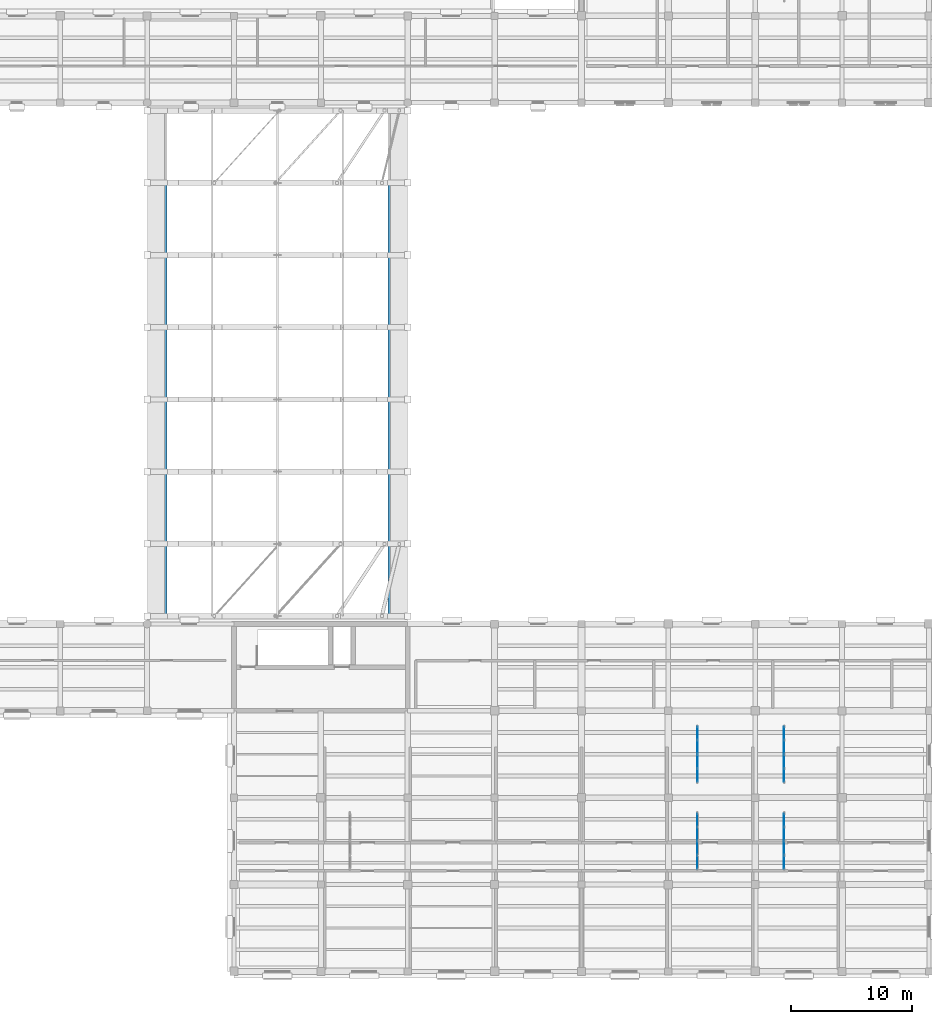
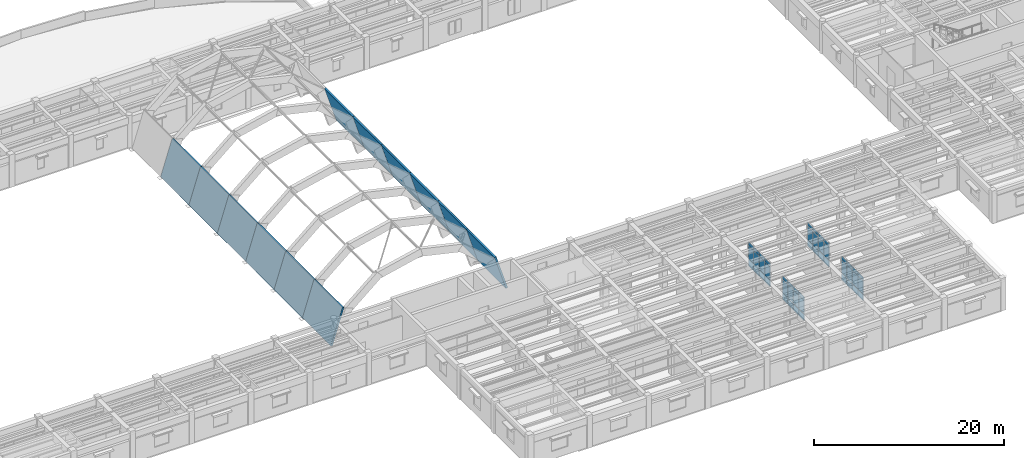
# One storey, part 27 of 66: 48 plates, 12 slabs, 4 elements without a shape of their own.
"""IFC4 building model written with IfcOpenShell, lengths in metres."""

from ifc_helpers import new_model, si_unit, direction, frame, origin, origin_2d, place, context, subcontext, project, spatial, polyline, rectangle, outline, extrude, material, layer, layer_set, type_object, element, aggregate, save


model = new_model("IFC4")

# Units and contexts
model_context = context("Model", 3, precision=1e-05, world=origin(), true_north=direction((0.0, 1.0)))
body_context = subcontext(model_context, "Body", "Model", "MODEL_VIEW")
ifc_project = project(units=[si_unit("LENGTHUNIT", "METRE"), si_unit("AREAUNIT", "SQUARE_METRE"), si_unit("VOLUMEUNIT", "CUBIC_METRE"), si_unit("PLANEANGLEUNIT", "RADIAN"), si_unit("MASSUNIT", "GRAM", prefix="KILO")], contexts=[model_context])

# Site, building, storey
site_placement = place(None, origin())
site = spatial("IfcSite", under=ifc_project, at=site_placement, CompositionType="ELEMENT")
building_placement = place(site_placement, origin())
building = spatial("IfcBuilding", under=site, at=building_placement, Name="Mithqara Police Headquarters", CompositionType="ELEMENT")
storey_placement = place(building_placement, frame((0.0, 0.0, 9.60009765625)))
storey = spatial("IfcBuildingStorey", under=building, at=storey_placement, Name="L02", CompositionType="ELEMENT", Elevation=9.60009765625)

# Curtain wall, plates
ifc_material_1 = material(Name="Bronze anodised aluminium 6063-T6", Category="aluminium")
curtain_wall_type = type_object("IfcCurtainWallType", Name="CURTAIN WALL 4700X3220", PredefinedType="USERDEFINED", material=ifc_material_1)
curtain_wall_1_placement = place(storey_placement, origin())
curtain_wall_1 = element("IfcCurtainWall", 1, at=curtain_wall_1_placement, inside=storey, type_object=curtain_wall_type, Name="L02 Unitised Glazing CW-16 (CW-INT-L02-X16-Y02-0)", ObjectType="UNITISED GLAZING", PredefinedType="USERDEFINED")
ifc_material_2 = material(Name="Spectrally selective double low-e glass", Category="glass")
ifc_layer_1 = layer(ifc_material_2, 0.028076171875, Name="Spectrally selective double low-e glass")
ifc_layer_set_1 = layer_set([ifc_layer_1], Name="Spectrally selective double low-e glass")
plate_type_1 = type_object("IfcPlateType", Name="CWPANEL GLASS28", PredefinedType="CURTAIN_PANEL", material=ifc_layer_set_1)
plate_1_placement = place(storey_placement, frame((118.199951171875, 15.65625, 0.074951171875), z_axis=(0.0, 0.0, 1.0), x_axis=(0.0, 1.0, 0.0)))
plate_1 = element("IfcPlate", 2, at=plate_1_placement, type_object=plate_type_1, Name="CW-16 panel 1.1", PredefinedType="CURTAIN_PANEL", context=body_context, shape_type="SweptSolid", body=[
    extrude(rectangle(XDim=1.0625, YDim=0.028076171875, at=origin_2d()), origin(), (0.0, 0.0, 1.0), 0.78759765625),
])
plate_2_placement = place(storey_placement, frame((118.199951171875, 15.65625, 0.9375), z_axis=(0.0, 0.0, 1.0), x_axis=(0.0, 1.0, 0.0)))
plate_2 = element("IfcPlate", 3, at=plate_2_placement, type_object=plate_type_1, Name="CW-16 panel 1.2", PredefinedType="CURTAIN_PANEL", context=body_context, shape_type="SweptSolid", body=[
    extrude(rectangle(XDim=1.0625, YDim=0.028076171875, at=origin_2d()), origin(), (0.0, 0.0, 1.0), 1.695068359375),
])
plate_3_placement = place(storey_placement, frame((118.199951171875, 15.65625, 2.70751953125), z_axis=(0.0, 0.0, 1.0), x_axis=(0.0, 1.0, 0.0)))
plate_3 = element("IfcPlate", 4, at=plate_3_placement, type_object=plate_type_1, Name="CW-16 panel 1.3", PredefinedType="CURTAIN_PANEL", context=body_context, shape_type="SweptSolid", body=[
    extrude(rectangle(XDim=1.0625, YDim=0.028076171875, at=origin_2d()), origin(), (0.0, 0.0, 1.0), 0.4375),
])
plate_4_placement = place(storey_placement, frame((118.199951171875, 16.8125, 0.074951171875), z_axis=(0.0, 0.0, 1.0), x_axis=(0.0, 1.0, 0.0)))
plate_4 = element("IfcPlate", 5, at=plate_4_placement, type_object=plate_type_1, Name="CW-16 panel 2.1", PredefinedType="CURTAIN_PANEL", context=body_context, shape_type="SweptSolid", body=[
    extrude(rectangle(XDim=1.10009765625, YDim=0.028076171875, at=origin_2d()), origin(), (0.0, 0.0, 1.0), 0.78759765625),
])
plate_5_placement = place(storey_placement, frame((118.199951171875, 16.8125, 0.9375), z_axis=(0.0, 0.0, 1.0), x_axis=(0.0, 1.0, 0.0)))
plate_5 = element("IfcPlate", 6, at=plate_5_placement, type_object=plate_type_1, Name="CW-16 panel 2.2", PredefinedType="CURTAIN_PANEL", context=body_context, shape_type="SweptSolid", body=[
    extrude(rectangle(XDim=1.10009765625, YDim=0.028076171875, at=origin_2d()), origin(), (0.0, 0.0, 1.0), 1.695068359375),
])
plate_6_placement = place(storey_placement, frame((118.199951171875, 16.8125, 2.70751953125), z_axis=(0.0, 0.0, 1.0), x_axis=(0.0, 1.0, 0.0)))
plate_6 = element("IfcPlate", 7, at=plate_6_placement, type_object=plate_type_1, Name="CW-16 panel 2.3", PredefinedType="CURTAIN_PANEL", context=body_context, shape_type="SweptSolid", body=[
    extrude(rectangle(XDim=1.10009765625, YDim=0.028076171875, at=origin_2d()), origin(), (0.0, 0.0, 1.0), 0.4375),
])
plate_7_placement = place(storey_placement, frame((118.199951171875, 17.987548828125, 0.074951171875), z_axis=(0.0, 0.0, 1.0), x_axis=(0.0, 1.0, 0.0)))
plate_7 = element("IfcPlate", 8, at=plate_7_placement, type_object=plate_type_1, Name="CW-16 panel 3.1", PredefinedType="CURTAIN_PANEL", context=body_context, shape_type="SweptSolid", body=[
    extrude(rectangle(XDim=1.10009765625, YDim=0.028076171875, at=origin_2d()), origin(), (0.0, 0.0, 1.0), 0.78759765625),
])
plate_8_placement = place(storey_placement, frame((118.199951171875, 17.987548828125, 0.9375), z_axis=(0.0, 0.0, 1.0), x_axis=(0.0, 1.0, 0.0)))
plate_8 = element("IfcPlate", 9, at=plate_8_placement, type_object=plate_type_1, Name="CW-16 panel 3.2", PredefinedType="CURTAIN_PANEL", context=body_context, shape_type="SweptSolid", body=[
    extrude(rectangle(XDim=1.10009765625, YDim=0.028076171875, at=origin_2d()), origin(), (0.0, 0.0, 1.0), 1.695068359375),
])
plate_9_placement = place(storey_placement, frame((118.199951171875, 17.987548828125, 2.70751953125), z_axis=(0.0, 0.0, 1.0), x_axis=(0.0, 1.0, 0.0)))
plate_9 = element("IfcPlate", 10, at=plate_9_placement, type_object=plate_type_1, Name="CW-16 panel 3.3", PredefinedType="CURTAIN_PANEL", context=body_context, shape_type="SweptSolid", body=[
    extrude(rectangle(XDim=1.10009765625, YDim=0.028076171875, at=origin_2d()), origin(), (0.0, 0.0, 1.0), 0.4375),
])
plate_10_placement = place(storey_placement, frame((118.199951171875, 19.143798828125, 0.074951171875), z_axis=(0.0, 0.0, 1.0), x_axis=(0.0, 1.0, 0.0)))
plate_10 = element("IfcPlate", 11, at=plate_10_placement, type_object=plate_type_1, Name="CW-16 panel 4.1", PredefinedType="CURTAIN_PANEL", context=body_context, shape_type="SweptSolid", body=[
    extrude(rectangle(XDim=1.0625, YDim=0.028076171875, at=origin_2d()), origin(), (0.0, 0.0, 1.0), 0.78759765625),
])
plate_11_placement = place(storey_placement, frame((118.199951171875, 19.143798828125, 0.9375), z_axis=(0.0, 0.0, 1.0), x_axis=(0.0, 1.0, 0.0)))
plate_11 = element("IfcPlate", 12, at=plate_11_placement, type_object=plate_type_1, Name="CW-16 panel 4.2", PredefinedType="CURTAIN_PANEL", context=body_context, shape_type="SweptSolid", body=[
    extrude(rectangle(XDim=1.0625, YDim=0.028076171875, at=origin_2d()), origin(), (0.0, 0.0, 1.0), 1.695068359375),
])
plate_12_placement = place(storey_placement, frame((118.199951171875, 19.143798828125, 2.70751953125), z_axis=(0.0, 0.0, 1.0), x_axis=(0.0, 1.0, 0.0)))
plate_12 = element("IfcPlate", 13, at=plate_12_placement, type_object=plate_type_1, Name="CW-16 panel 4.3", PredefinedType="CURTAIN_PANEL", context=body_context, shape_type="SweptSolid", body=[
    extrude(rectangle(XDim=1.0625, YDim=0.028076171875, at=origin_2d()), origin(), (0.0, 0.0, 1.0), 0.4375),
])
aggregate(curtain_wall_1, [plate_1, plate_2, plate_3, plate_4, plate_5, plate_6, plate_7, plate_8, plate_9, plate_10, plate_11, plate_12])

curtain_wall_2_placement = place(storey_placement, origin())
curtain_wall_2 = element("IfcCurtainWall", 14, at=curtain_wall_2_placement, inside=storey, type_object=curtain_wall_type, Name="L02 Unitised Glazing CW-16 (CW-INT-L02-X17-Y02-0)", ObjectType="UNITISED GLAZING", PredefinedType="USERDEFINED")
plate_13_placement = place(storey_placement, frame((125.39990234375, 15.65625, 0.074951171875), z_axis=(0.0, 0.0, 1.0), x_axis=(0.0, 1.0, 0.0)))
plate_13 = element("IfcPlate", 15, at=plate_13_placement, type_object=plate_type_1, Name="CW-16 panel 1.1", PredefinedType="CURTAIN_PANEL", context=body_context, shape_type="SweptSolid", body=[
    extrude(rectangle(XDim=1.0625, YDim=0.028076171875, at=origin_2d()), origin(), (0.0, 0.0, 1.0), 0.78759765625),
])
plate_14_placement = place(storey_placement, frame((125.39990234375, 15.65625, 0.9375), z_axis=(0.0, 0.0, 1.0), x_axis=(0.0, 1.0, 0.0)))
plate_14 = element("IfcPlate", 16, at=plate_14_placement, type_object=plate_type_1, Name="CW-16 panel 1.2", PredefinedType="CURTAIN_PANEL", context=body_context, shape_type="SweptSolid", body=[
    extrude(rectangle(XDim=1.0625, YDim=0.028076171875, at=origin_2d()), origin(), (0.0, 0.0, 1.0), 1.695068359375),
])
plate_15_placement = place(storey_placement, frame((125.39990234375, 15.65625, 2.70751953125), z_axis=(0.0, 0.0, 1.0), x_axis=(0.0, 1.0, 0.0)))
plate_15 = element("IfcPlate", 17, at=plate_15_placement, type_object=plate_type_1, Name="CW-16 panel 1.3", PredefinedType="CURTAIN_PANEL", context=body_context, shape_type="SweptSolid", body=[
    extrude(rectangle(XDim=1.0625, YDim=0.028076171875, at=origin_2d()), origin(), (0.0, 0.0, 1.0), 0.4375),
])
plate_16_placement = place(storey_placement, frame((125.39990234375, 16.8125, 0.074951171875), z_axis=(0.0, 0.0, 1.0), x_axis=(0.0, 1.0, 0.0)))
plate_16 = element("IfcPlate", 18, at=plate_16_placement, type_object=plate_type_1, Name="CW-16 panel 2.1", PredefinedType="CURTAIN_PANEL", context=body_context, shape_type="SweptSolid", body=[
    extrude(rectangle(XDim=1.10009765625, YDim=0.028076171875, at=origin_2d()), origin(), (0.0, 0.0, 1.0), 0.78759765625),
])
plate_17_placement = place(storey_placement, frame((125.39990234375, 16.8125, 0.9375), z_axis=(0.0, 0.0, 1.0), x_axis=(0.0, 1.0, 0.0)))
plate_17 = element("IfcPlate", 19, at=plate_17_placement, type_object=plate_type_1, Name="CW-16 panel 2.2", PredefinedType="CURTAIN_PANEL", context=body_context, shape_type="SweptSolid", body=[
    extrude(rectangle(XDim=1.10009765625, YDim=0.028076171875, at=origin_2d()), origin(), (0.0, 0.0, 1.0), 1.695068359375),
])
plate_18_placement = place(storey_placement, frame((125.39990234375, 16.8125, 2.70751953125), z_axis=(0.0, 0.0, 1.0), x_axis=(0.0, 1.0, 0.0)))
plate_18 = element("IfcPlate", 20, at=plate_18_placement, type_object=plate_type_1, Name="CW-16 panel 2.3", PredefinedType="CURTAIN_PANEL", context=body_context, shape_type="SweptSolid", body=[
    extrude(rectangle(XDim=1.10009765625, YDim=0.028076171875, at=origin_2d()), origin(), (0.0, 0.0, 1.0), 0.4375),
])
plate_19_placement = place(storey_placement, frame((125.39990234375, 17.987548828125, 0.074951171875), z_axis=(0.0, 0.0, 1.0), x_axis=(0.0, 1.0, 0.0)))
plate_19 = element("IfcPlate", 21, at=plate_19_placement, type_object=plate_type_1, Name="CW-16 panel 3.1", PredefinedType="CURTAIN_PANEL", context=body_context, shape_type="SweptSolid", body=[
    extrude(rectangle(XDim=1.10009765625, YDim=0.028076171875, at=origin_2d()), origin(), (0.0, 0.0, 1.0), 0.78759765625),
])
plate_20_placement = place(storey_placement, frame((125.39990234375, 17.987548828125, 0.9375), z_axis=(0.0, 0.0, 1.0), x_axis=(0.0, 1.0, 0.0)))
plate_20 = element("IfcPlate", 22, at=plate_20_placement, type_object=plate_type_1, Name="CW-16 panel 3.2", PredefinedType="CURTAIN_PANEL", context=body_context, shape_type="SweptSolid", body=[
    extrude(rectangle(XDim=1.10009765625, YDim=0.028076171875, at=origin_2d()), origin(), (0.0, 0.0, 1.0), 1.695068359375),
])
plate_21_placement = place(storey_placement, frame((125.39990234375, 17.987548828125, 2.70751953125), z_axis=(0.0, 0.0, 1.0), x_axis=(0.0, 1.0, 0.0)))
plate_21 = element("IfcPlate", 23, at=plate_21_placement, type_object=plate_type_1, Name="CW-16 panel 3.3", PredefinedType="CURTAIN_PANEL", context=body_context, shape_type="SweptSolid", body=[
    extrude(rectangle(XDim=1.10009765625, YDim=0.028076171875, at=origin_2d()), origin(), (0.0, 0.0, 1.0), 0.4375),
])
plate_22_placement = place(storey_placement, frame((125.39990234375, 19.143798828125, 0.074951171875), z_axis=(0.0, 0.0, 1.0), x_axis=(0.0, 1.0, 0.0)))
plate_22 = element("IfcPlate", 24, at=plate_22_placement, type_object=plate_type_1, Name="CW-16 panel 4.1", PredefinedType="CURTAIN_PANEL", context=body_context, shape_type="SweptSolid", body=[
    extrude(rectangle(XDim=1.0625, YDim=0.028076171875, at=origin_2d()), origin(), (0.0, 0.0, 1.0), 0.78759765625),
])
plate_23_placement = place(storey_placement, frame((125.39990234375, 19.143798828125, 0.9375), z_axis=(0.0, 0.0, 1.0), x_axis=(0.0, 1.0, 0.0)))
plate_23 = element("IfcPlate", 25, at=plate_23_placement, type_object=plate_type_1, Name="CW-16 panel 4.2", PredefinedType="CURTAIN_PANEL", context=body_context, shape_type="SweptSolid", body=[
    extrude(rectangle(XDim=1.0625, YDim=0.028076171875, at=origin_2d()), origin(), (0.0, 0.0, 1.0), 1.695068359375),
])
plate_24_placement = place(storey_placement, frame((125.39990234375, 19.143798828125, 2.70751953125), z_axis=(0.0, 0.0, 1.0), x_axis=(0.0, 1.0, 0.0)))
plate_24 = element("IfcPlate", 26, at=plate_24_placement, type_object=plate_type_1, Name="CW-16 panel 4.3", PredefinedType="CURTAIN_PANEL", context=body_context, shape_type="SweptSolid", body=[
    extrude(rectangle(XDim=1.0625, YDim=0.028076171875, at=origin_2d()), origin(), (0.0, 0.0, 1.0), 0.4375),
])
aggregate(curtain_wall_2, [plate_13, plate_14, plate_15, plate_16, plate_17, plate_18, plate_19, plate_20, plate_21, plate_22, plate_23, plate_24])

curtain_wall_3_placement = place(storey_placement, origin())
curtain_wall_3 = element("IfcCurtainWall", 27, at=curtain_wall_3_placement, inside=storey, type_object=curtain_wall_type, Name="L02 Unitised Glazing CW-16 (CW-INT-L02-X17-Y03-0)", ObjectType="UNITISED GLAZING", PredefinedType="USERDEFINED")
plate_25_placement = place(storey_placement, frame((125.39990234375, 22.856201171875, 0.074951171875), z_axis=(0.0, 0.0, 1.0), x_axis=(0.0, 1.0, 0.0)))
plate_25 = element("IfcPlate", 28, at=plate_25_placement, type_object=plate_type_1, Name="CW-16 panel 1.1", PredefinedType="CURTAIN_PANEL", context=body_context, shape_type="SweptSolid", body=[
    extrude(rectangle(XDim=1.0625, YDim=0.028076171875, at=origin_2d()), origin(), (0.0, 0.0, 1.0), 0.78759765625),
])
plate_26_placement = place(storey_placement, frame((125.39990234375, 22.856201171875, 0.9375), z_axis=(0.0, 0.0, 1.0), x_axis=(0.0, 1.0, 0.0)))
plate_26 = element("IfcPlate", 29, at=plate_26_placement, type_object=plate_type_1, Name="CW-16 panel 1.2", PredefinedType="CURTAIN_PANEL", context=body_context, shape_type="SweptSolid", body=[
    extrude(rectangle(XDim=1.0625, YDim=0.028076171875, at=origin_2d()), origin(), (0.0, 0.0, 1.0), 1.695068359375),
])
plate_27_placement = place(storey_placement, frame((125.39990234375, 22.856201171875, 2.70751953125), z_axis=(0.0, 0.0, 1.0), x_axis=(0.0, 1.0, 0.0)))
plate_27 = element("IfcPlate", 30, at=plate_27_placement, type_object=plate_type_1, Name="CW-16 panel 1.3", PredefinedType="CURTAIN_PANEL", context=body_context, shape_type="SweptSolid", body=[
    extrude(rectangle(XDim=1.0625, YDim=0.028076171875, at=origin_2d()), origin(), (0.0, 0.0, 1.0), 0.4375),
])
plate_28_placement = place(storey_placement, frame((125.39990234375, 24.012451171875, 0.074951171875), z_axis=(0.0, 0.0, 1.0), x_axis=(0.0, 1.0, 0.0)))
plate_28 = element("IfcPlate", 31, at=plate_28_placement, type_object=plate_type_1, Name="CW-16 panel 2.1", PredefinedType="CURTAIN_PANEL", context=body_context, shape_type="SweptSolid", body=[
    extrude(rectangle(XDim=1.10009765625, YDim=0.028076171875, at=origin_2d()), origin(), (0.0, 0.0, 1.0), 0.78759765625),
])
plate_29_placement = place(storey_placement, frame((125.39990234375, 24.012451171875, 0.9375), z_axis=(0.0, 0.0, 1.0), x_axis=(0.0, 1.0, 0.0)))
plate_29 = element("IfcPlate", 32, at=plate_29_placement, type_object=plate_type_1, Name="CW-16 panel 2.2", PredefinedType="CURTAIN_PANEL", context=body_context, shape_type="SweptSolid", body=[
    extrude(rectangle(XDim=1.10009765625, YDim=0.028076171875, at=origin_2d()), origin(), (0.0, 0.0, 1.0), 1.695068359375),
])
plate_30_placement = place(storey_placement, frame((125.39990234375, 24.012451171875, 2.70751953125), z_axis=(0.0, 0.0, 1.0), x_axis=(0.0, 1.0, 0.0)))
plate_30 = element("IfcPlate", 33, at=plate_30_placement, type_object=plate_type_1, Name="CW-16 panel 2.3", PredefinedType="CURTAIN_PANEL", context=body_context, shape_type="SweptSolid", body=[
    extrude(rectangle(XDim=1.10009765625, YDim=0.028076171875, at=origin_2d()), origin(), (0.0, 0.0, 1.0), 0.4375),
])
plate_31_placement = place(storey_placement, frame((125.39990234375, 25.1875, 0.074951171875), z_axis=(0.0, 0.0, 1.0), x_axis=(0.0, 1.0, 0.0)))
plate_31 = element("IfcPlate", 34, at=plate_31_placement, type_object=plate_type_1, Name="CW-16 panel 3.1", PredefinedType="CURTAIN_PANEL", context=body_context, shape_type="SweptSolid", body=[
    extrude(rectangle(XDim=1.10009765625, YDim=0.028076171875, at=origin_2d()), origin(), (0.0, 0.0, 1.0), 0.78759765625),
])
plate_32_placement = place(storey_placement, frame((125.39990234375, 25.1875, 0.9375), z_axis=(0.0, 0.0, 1.0), x_axis=(0.0, 1.0, 0.0)))
plate_32 = element("IfcPlate", 35, at=plate_32_placement, type_object=plate_type_1, Name="CW-16 panel 3.2", PredefinedType="CURTAIN_PANEL", context=body_context, shape_type="SweptSolid", body=[
    extrude(rectangle(XDim=1.10009765625, YDim=0.028076171875, at=origin_2d()), origin(), (0.0, 0.0, 1.0), 1.695068359375),
])
plate_33_placement = place(storey_placement, frame((125.39990234375, 25.1875, 2.70751953125), z_axis=(0.0, 0.0, 1.0), x_axis=(0.0, 1.0, 0.0)))
plate_33 = element("IfcPlate", 36, at=plate_33_placement, type_object=plate_type_1, Name="CW-16 panel 3.3", PredefinedType="CURTAIN_PANEL", context=body_context, shape_type="SweptSolid", body=[
    extrude(rectangle(XDim=1.10009765625, YDim=0.028076171875, at=origin_2d()), origin(), (0.0, 0.0, 1.0), 0.4375),
])
plate_34_placement = place(storey_placement, frame((125.39990234375, 26.34375, 0.074951171875), z_axis=(0.0, 0.0, 1.0), x_axis=(0.0, 1.0, 0.0)))
plate_34 = element("IfcPlate", 37, at=plate_34_placement, type_object=plate_type_1, Name="CW-16 panel 4.1", PredefinedType="CURTAIN_PANEL", context=body_context, shape_type="SweptSolid", body=[
    extrude(rectangle(XDim=1.0625, YDim=0.028076171875, at=origin_2d()), origin(), (0.0, 0.0, 1.0), 0.78759765625),
])
plate_35_placement = place(storey_placement, frame((125.39990234375, 26.34375, 0.9375), z_axis=(0.0, 0.0, 1.0), x_axis=(0.0, 1.0, 0.0)))
plate_35 = element("IfcPlate", 38, at=plate_35_placement, type_object=plate_type_1, Name="CW-16 panel 4.2", PredefinedType="CURTAIN_PANEL", context=body_context, shape_type="SweptSolid", body=[
    extrude(rectangle(XDim=1.0625, YDim=0.028076171875, at=origin_2d()), origin(), (0.0, 0.0, 1.0), 1.695068359375),
])
plate_36_placement = place(storey_placement, frame((125.39990234375, 26.34375, 2.70751953125), z_axis=(0.0, 0.0, 1.0), x_axis=(0.0, 1.0, 0.0)))
plate_36 = element("IfcPlate", 39, at=plate_36_placement, type_object=plate_type_1, Name="CW-16 panel 4.3", PredefinedType="CURTAIN_PANEL", context=body_context, shape_type="SweptSolid", body=[
    extrude(rectangle(XDim=1.0625, YDim=0.028076171875, at=origin_2d()), origin(), (0.0, 0.0, 1.0), 0.4375),
])
aggregate(curtain_wall_3, [plate_25, plate_26, plate_27, plate_28, plate_29, plate_30, plate_31, plate_32, plate_33, plate_34, plate_35, plate_36])

curtain_wall_4_placement = place(storey_placement, origin())
curtain_wall_4 = element("IfcCurtainWall", 40, at=curtain_wall_4_placement, inside=storey, type_object=curtain_wall_type, Name="L02 Unitised Glazing CW-16 (CW-INT-L02-X16-Y03-0)", ObjectType="UNITISED GLAZING", PredefinedType="USERDEFINED")
ifc_material_3 = material(Name="Insulated bronze aluminium spandrel panel", Category="aluminium")
ifc_layer_2 = layer(ifc_material_3, 0.048095703125, Name="Insulated bronze aluminium spandrel panel")
ifc_layer_set_2 = layer_set([ifc_layer_2], Name="Insulated bronze aluminium spandrel panel")
plate_type_2 = type_object("IfcPlateType", Name="CWPANEL SPANDREL48", PredefinedType="CURTAIN_PANEL", material=ifc_layer_set_2)
plate_37_placement = place(storey_placement, frame((118.199951171875, 22.856201171875, 0.074951171875), z_axis=(0.0, 0.0, 1.0), x_axis=(0.0, 1.0, 0.0)))
plate_37 = element("IfcPlate", 41, at=plate_37_placement, type_object=plate_type_2, Name="CW-16 panel 1.1", PredefinedType="CURTAIN_PANEL", context=body_context, shape_type="SweptSolid", body=[
    extrude(rectangle(XDim=1.0625, YDim=0.048095703125, at=origin_2d()), origin(), (0.0, 0.0, 1.0), 0.78759765625),
])
plate_38_placement = place(storey_placement, frame((118.199951171875, 22.856201171875, 0.9375), z_axis=(0.0, 0.0, 1.0), x_axis=(0.0, 1.0, 0.0)))
plate_38 = element("IfcPlate", 42, at=plate_38_placement, type_object=plate_type_2, Name="CW-16 panel 1.2", PredefinedType="CURTAIN_PANEL", context=body_context, shape_type="SweptSolid", body=[
    extrude(rectangle(XDim=1.0625, YDim=0.048095703125, at=origin_2d()), origin(), (0.0, 0.0, 1.0), 1.695068359375),
])
plate_39_placement = place(storey_placement, frame((118.199951171875, 22.856201171875, 2.70751953125), z_axis=(0.0, 0.0, 1.0), x_axis=(0.0, 1.0, 0.0)))
plate_39 = element("IfcPlate", 43, at=plate_39_placement, type_object=plate_type_2, Name="CW-16 panel 1.3", PredefinedType="CURTAIN_PANEL", context=body_context, shape_type="SweptSolid", body=[
    extrude(rectangle(XDim=1.0625, YDim=0.048095703125, at=origin_2d()), origin(), (0.0, 0.0, 1.0), 0.4375),
])
plate_40_placement = place(storey_placement, frame((118.199951171875, 24.012451171875, 0.074951171875), z_axis=(0.0, 0.0, 1.0), x_axis=(0.0, 1.0, 0.0)))
plate_40 = element("IfcPlate", 44, at=plate_40_placement, type_object=plate_type_2, Name="CW-16 panel 2.1", PredefinedType="CURTAIN_PANEL", context=body_context, shape_type="SweptSolid", body=[
    extrude(rectangle(XDim=1.10009765625, YDim=0.048095703125, at=origin_2d()), origin(), (0.0, 0.0, 1.0), 0.78759765625),
])
plate_41_placement = place(storey_placement, frame((118.199951171875, 24.012451171875, 0.9375), z_axis=(0.0, 0.0, 1.0), x_axis=(0.0, 1.0, 0.0)))
plate_41 = element("IfcPlate", 45, at=plate_41_placement, type_object=plate_type_2, Name="CW-16 panel 2.2", PredefinedType="CURTAIN_PANEL", context=body_context, shape_type="SweptSolid", body=[
    extrude(rectangle(XDim=1.10009765625, YDim=0.048095703125, at=origin_2d()), origin(), (0.0, 0.0, 1.0), 1.695068359375),
])
plate_42_placement = place(storey_placement, frame((118.199951171875, 24.012451171875, 2.70751953125), z_axis=(0.0, 0.0, 1.0), x_axis=(0.0, 1.0, 0.0)))
plate_42 = element("IfcPlate", 46, at=plate_42_placement, type_object=plate_type_2, Name="CW-16 panel 2.3", PredefinedType="CURTAIN_PANEL", context=body_context, shape_type="SweptSolid", body=[
    extrude(rectangle(XDim=1.10009765625, YDim=0.048095703125, at=origin_2d()), origin(), (0.0, 0.0, 1.0), 0.4375),
])
plate_43_placement = place(storey_placement, frame((118.199951171875, 25.1875, 0.074951171875), z_axis=(0.0, 0.0, 1.0), x_axis=(0.0, 1.0, 0.0)))
plate_43 = element("IfcPlate", 47, at=plate_43_placement, type_object=plate_type_2, Name="CW-16 panel 3.1", PredefinedType="CURTAIN_PANEL", context=body_context, shape_type="SweptSolid", body=[
    extrude(rectangle(XDim=1.10009765625, YDim=0.048095703125, at=origin_2d()), origin(), (0.0, 0.0, 1.0), 0.78759765625),
])
plate_44_placement = place(storey_placement, frame((118.199951171875, 25.1875, 0.9375), z_axis=(0.0, 0.0, 1.0), x_axis=(0.0, 1.0, 0.0)))
plate_44 = element("IfcPlate", 48, at=plate_44_placement, type_object=plate_type_2, Name="CW-16 panel 3.2", PredefinedType="CURTAIN_PANEL", context=body_context, shape_type="SweptSolid", body=[
    extrude(rectangle(XDim=1.10009765625, YDim=0.048095703125, at=origin_2d()), origin(), (0.0, 0.0, 1.0), 1.695068359375),
])
plate_45_placement = place(storey_placement, frame((118.199951171875, 25.1875, 2.70751953125), z_axis=(0.0, 0.0, 1.0), x_axis=(0.0, 1.0, 0.0)))
plate_45 = element("IfcPlate", 49, at=plate_45_placement, type_object=plate_type_2, Name="CW-16 panel 3.3", PredefinedType="CURTAIN_PANEL", context=body_context, shape_type="SweptSolid", body=[
    extrude(rectangle(XDim=1.10009765625, YDim=0.048095703125, at=origin_2d()), origin(), (0.0, 0.0, 1.0), 0.4375),
])
plate_46_placement = place(storey_placement, frame((118.199951171875, 26.34375, 0.074951171875), z_axis=(0.0, 0.0, 1.0), x_axis=(0.0, 1.0, 0.0)))
plate_46 = element("IfcPlate", 50, at=plate_46_placement, type_object=plate_type_2, Name="CW-16 panel 4.1", PredefinedType="CURTAIN_PANEL", context=body_context, shape_type="SweptSolid", body=[
    extrude(rectangle(XDim=1.0625, YDim=0.048095703125, at=origin_2d()), origin(), (0.0, 0.0, 1.0), 0.78759765625),
])
plate_47_placement = place(storey_placement, frame((118.199951171875, 26.34375, 0.9375), z_axis=(0.0, 0.0, 1.0), x_axis=(0.0, 1.0, 0.0)))
plate_47 = element("IfcPlate", 51, at=plate_47_placement, type_object=plate_type_2, Name="CW-16 panel 4.2", PredefinedType="CURTAIN_PANEL", context=body_context, shape_type="SweptSolid", body=[
    extrude(rectangle(XDim=1.0625, YDim=0.048095703125, at=origin_2d()), origin(), (0.0, 0.0, 1.0), 1.695068359375),
])
plate_48_placement = place(storey_placement, frame((118.199951171875, 26.34375, 2.70751953125), z_axis=(0.0, 0.0, 1.0), x_axis=(0.0, 1.0, 0.0)))
plate_48 = element("IfcPlate", 52, at=plate_48_placement, type_object=plate_type_2, Name="CW-16 panel 4.3", PredefinedType="CURTAIN_PANEL", context=body_context, shape_type="SweptSolid", body=[
    extrude(rectangle(XDim=1.0625, YDim=0.048095703125, at=origin_2d()), origin(), (0.0, 0.0, 1.0), 0.4375),
])
aggregate(curtain_wall_4, [plate_37, plate_38, plate_39, plate_40, plate_41, plate_42, plate_43, plate_44, plate_45, plate_46, plate_47, plate_48])

# Slabs
ifc_material_4 = material(Name="Concrete C40/50", Category="concrete")
ifc_layer_3 = layer(ifc_material_4, 0.219970703125, Name="Concrete C40/50")
ifc_layer_set_3 = layer_set([ifc_layer_3], Name="Concrete C40/50")
slab_type = type_object("IfcSlabType", Name="VAULT SHELL 220", PredefinedType="ROOF", material=ifc_layer_set_3)
for number, where, z_axis, x_axis, name in (
    (53, (72.620361328125, 36.052978515625, 0.064697265625), (-0.953912787202, 0.0, 0.300083978934), (0.300083978934, 0.0, 0.953912787202), "Public Entrance Hall Barrel Vault Shell Strip Bay 1 Facet 1"),
    (54, (92.7734375, 36.052978515625, 4.534912109375), (0.953912787202, 0.0, 0.300083978934), (0.300083978934, 0.0, -0.953912787202), "Public Entrance Hall Barrel Vault Shell Strip Bay 1 Facet 6"),
):
    element("IfcSlab", number, at=place(storey_placement, frame(where, z_axis=z_axis, x_axis=x_axis)), inside=storey, type_object=slab_type, Name=name, PredefinedType="ROOF", context=body_context, shape_type="SweptSolid", body=[
        extrude(outline(polyline([(0.0, 0.0), (4.686188196368434, 0.0), (4.686188196368434, 5.979736328125), (0.0, 5.979736328125), (0.0, 0.0)])), origin(), (0.0, 0.0, -1.0), 0.219970703125),
    ])
for number, where, z_axis, x_axis, name in (
    (55, (72.620361328125, 42.038818359375, 0.064697265625), (-0.953912787202, 0.0, 0.300083978934), (0.300083978934, 0.0, 0.953912787202), "Public Entrance Hall Barrel Vault Shell Strip Bay 2 Facet 1"),
    (56, (92.7734375, 42.038818359375, 4.534912109375), (0.953912787202, 0.0, 0.300083978934), (0.300083978934, 0.0, -0.953912787202), "Public Entrance Hall Barrel Vault Shell Strip Bay 2 Facet 6"),
):
    element("IfcSlab", number, at=place(storey_placement, frame(where, z_axis=z_axis, x_axis=x_axis)), inside=storey, type_object=slab_type, Name=name, PredefinedType="ROOF", context=body_context, shape_type="SweptSolid", body=[
        extrude(outline(polyline([(0.0, 0.0), (4.686188196368434, 0.0), (4.686188196368434, 5.9794921875), (0.0, 5.9794921875), (0.0, 0.0)])), origin(), (0.0, 0.0, -1.0), 0.219970703125),
    ])
for number, where, z_axis, x_axis, name in (
    (57, (72.620361328125, 48.0244140625, 0.064697265625), (-0.953912787202, 0.0, 0.300083978934), (0.300083978934, 0.0, 0.953912787202), "Public Entrance Hall Barrel Vault Shell Strip Bay 3 Facet 1"),
    (58, (92.7734375, 48.0244140625, 4.534912109375), (0.953912787202, 0.0, 0.300083978934), (0.300083978934, 0.0, -0.953912787202), "Public Entrance Hall Barrel Vault Shell Strip Bay 3 Facet 6"),
):
    element("IfcSlab", number, at=place(storey_placement, frame(where, z_axis=z_axis, x_axis=x_axis)), inside=storey, type_object=slab_type, Name=name, PredefinedType="ROOF", context=body_context, shape_type="SweptSolid", body=[
        extrude(outline(polyline([(0.0, 0.0), (4.686188196368434, 0.0), (4.686188196368434, 5.979736328125), (0.0, 5.979736328125), (0.0, 0.0)])), origin(), (0.0, 0.0, -1.0), 0.219970703125),
    ])
for number, where, z_axis, x_axis, name in (
    (59, (72.620361328125, 54.010009765625, 0.064697265625), (-0.953912787202, 0.0, 0.300083978934), (0.300083978934, 0.0, 0.953912787202), "Public Entrance Hall Barrel Vault Shell Strip Bay 4 Facet 1"),
    (60, (92.7734375, 54.010009765625, 4.534912109375), (0.953912787202, 0.0, 0.300083978934), (0.300083978934, 0.0, -0.953912787202), "Public Entrance Hall Barrel Vault Shell Strip Bay 4 Facet 6"),
):
    element("IfcSlab", number, at=place(storey_placement, frame(where, z_axis=z_axis, x_axis=x_axis)), inside=storey, type_object=slab_type, Name=name, PredefinedType="ROOF", context=body_context, shape_type="SweptSolid", body=[
        extrude(outline(polyline([(0.0, 0.0), (4.686188196368434, 0.0), (4.686188196368434, 5.97998046875), (0.0, 5.97998046875), (0.0, 0.0)])), origin(), (0.0, 0.0, -1.0), 0.219970703125),
    ])
for number, where, z_axis, x_axis, name in (
    (61, (72.620361328125, 59.995849609375, 0.064697265625), (-0.953912787202, 0.0, 0.300083978934), (0.300083978934, 0.0, 0.953912787202), "Public Entrance Hall Barrel Vault Shell Strip Bay 5 Facet 1"),
    (62, (92.7734375, 59.995849609375, 4.534912109375), (0.953912787202, 0.0, 0.300083978934), (0.300083978934, 0.0, -0.953912787202), "Public Entrance Hall Barrel Vault Shell Strip Bay 5 Facet 6"),
):
    element("IfcSlab", number, at=place(storey_placement, frame(where, z_axis=z_axis, x_axis=x_axis)), inside=storey, type_object=slab_type, Name=name, PredefinedType="ROOF", context=body_context, shape_type="SweptSolid", body=[
        extrude(outline(polyline([(0.0, 0.0), (4.686188196368434, 0.0), (4.686188196368434, 5.979736328125), (0.0, 5.979736328125), (0.0, 0.0)])), origin(), (0.0, 0.0, -1.0), 0.219970703125),
    ])
for number, where, z_axis, x_axis, name in (
    (63, (72.620361328125, 65.981689453125, 0.064697265625), (-0.953912787202, 0.0, 0.300083978934), (0.300083978934, 0.0, 0.953912787202), "Public Entrance Hall Barrel Vault Shell Strip Bay 6 Facet 1"),
    (64, (92.7734375, 65.981689453125, 4.534912109375), (0.953912787202, 0.0, 0.300083978934), (0.300083978934, 0.0, -0.953912787202), "Public Entrance Hall Barrel Vault Shell Strip Bay 6 Facet 6"),
):
    element("IfcSlab", number, at=place(storey_placement, frame(where, z_axis=z_axis, x_axis=x_axis)), inside=storey, type_object=slab_type, Name=name, PredefinedType="ROOF", context=body_context, shape_type="SweptSolid", body=[
        extrude(outline(polyline([(0.0, 0.0), (4.686188196368434, 0.0), (4.686188196368434, 5.9794921875), (0.0, 5.9794921875), (0.0, 0.0)])), origin(), (0.0, 0.0, -1.0), 0.219970703125),
    ])

save(model, "model.ifc")
